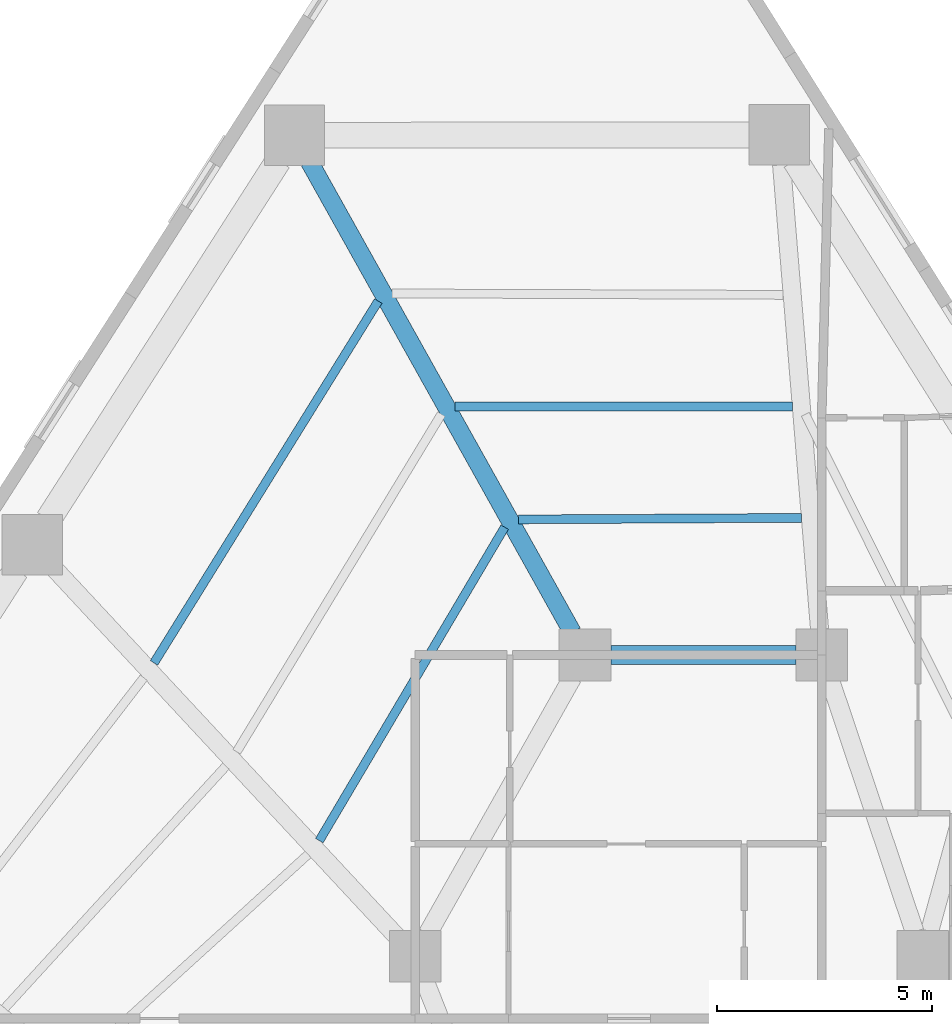
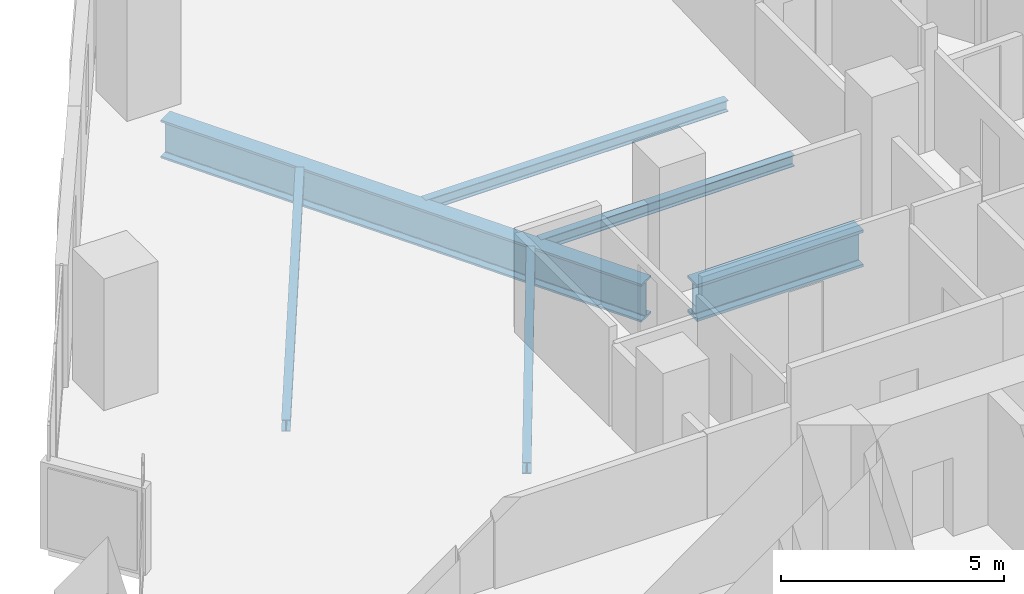
# One storey, part 3 of 13: 6 beams.
"""IFC4 building model written with IfcOpenShell, lengths in metres."""

from ifc_helpers import new_model, si_unit, direction, frame, origin, origin_2d, place, context, subcontext, project, spatial, i_section, extrude, material, material_profile, profile_set, type_object, element, save


model = new_model("IFC4")

# Units and contexts
model_context = context("Model", 3, precision=1e-05, world=origin(), true_north=direction((0.0, 1.0)))
body_context = subcontext(model_context, "Body", "Model", "MODEL_VIEW")
ifc_project = project(units=[si_unit("LENGTHUNIT", "METRE"), si_unit("AREAUNIT", "SQUARE_METRE"), si_unit("VOLUMEUNIT", "CUBIC_METRE"), si_unit("PLANEANGLEUNIT", "RADIAN"), si_unit("MASSUNIT", "GRAM", prefix="KILO")], contexts=[model_context])

# Site, building, storey
site_placement = place(None, origin())
site = spatial("IfcSite", under=ifc_project, at=site_placement, CompositionType="ELEMENT")
building_placement = place(site_placement, origin())
building = spatial("IfcBuilding", under=site, at=building_placement, Name="Almagre Mirador Tower", CompositionType="ELEMENT")
storey_placement = place(building_placement, frame((0.0, 0.0, 57.0)))
storey = spatial("IfcBuildingStorey", under=building, at=storey_placement, Name="L13", CompositionType="ELEMENT", Elevation=57.0)

# Beams
ifc_material_1 = material(Name="Steel ASTM A992 Grade 50", Category="steel")
ifc_material_profile_1 = material_profile(ifc_material_1, i_section(OverallWidth=0.205078125, OverallDepth=0.31005859375, WebThickness=0.009521484375, FlangeThickness=0.016357421875, FilletRadius=0.013916015625, at=origin_2d()), Name="W12X50")
ifc_profile_set_1 = profile_set([ifc_material_profile_1], Name="Steel ASTM A992 Grade 50")
beam_type_1 = type_object("IfcBeamType", Name="BM-JST-W12X50", PredefinedType="JOIST", material=ifc_profile_set_1)
beam_1_placement = place(storey_placement, frame((42.168212890625, 31.979248046875, -0.405029296875), z_axis=(-0.999999987869, -0.000155763238, 0.0), x_axis=(0.000155763238, -0.999999987869, 0.0)))
element("IfcBeam", 1, at=beam_1_placement, inside=storey, type_object=beam_type_1, Name="L13 secondary floor joist PC08-PC09.2", PredefinedType="JOIST", context=body_context, shape_type="SweptSolid", body=[
    extrude(i_section(OverallWidth=0.205078125, OverallDepth=0.31005859375, WebThickness=0.009521484375, FlangeThickness=0.016357421875, FilletRadius=0.013916015625, at=origin_2d()), origin(), (0.0, 0.0, 1.0), 7.8369140625),
])
beam_2_placement = place(storey_placement, frame((42.3798828125, 29.387451171875, -0.405029296875), z_axis=(-0.999985531686, -0.0053792581, 0.0), x_axis=(0.0053792581, -0.999985531686, 0.0)))
element("IfcBeam", 2, at=beam_2_placement, inside=storey, type_object=beam_type_1, Name="L13 secondary floor joist PC08-PC09.3", PredefinedType="JOIST", context=body_context, shape_type="SweptSolid", body=[
    extrude(i_section(OverallWidth=0.205078125, OverallDepth=0.31005859375, WebThickness=0.009521484375, FlangeThickness=0.016357421875, FilletRadius=0.013916015625, at=origin_2d()), origin(), (0.0, 0.0, 1.0), 6.580810546875),
])
beam_3_placement = place(storey_placement, frame((32.54345703125, 34.427001953125, -0.405029296875), z_axis=(-0.526750382105, -0.850020020324, 0.0), x_axis=(0.850020020324, -0.526750382105, 0.0)))
element("IfcBeam", 3, at=beam_3_placement, inside=storey, type_object=beam_type_1, Name="L13 secondary floor joist PC09-PC10.1", PredefinedType="JOIST", context=body_context, shape_type="SweptSolid", body=[
    extrude(i_section(OverallWidth=0.205078125, OverallDepth=0.31005859375, WebThickness=0.009521484375, FlangeThickness=0.016357421875, FilletRadius=0.013916015625, at=origin_2d()), origin(), (0.0, 0.0, 1.0), 9.89501953125),
])
beam_4_placement = place(storey_placement, frame((35.48291015625, 29.17041015625, -0.405029296875), z_axis=(-0.509081080746, -0.860718567957, 0.0), x_axis=(0.860718567957, -0.509081080746, 0.0)))
element("IfcBeam", 4, at=beam_4_placement, inside=storey, type_object=beam_type_1, Name="L13 secondary floor joist PC09-PC10.3", PredefinedType="JOIST", context=body_context, shape_type="SweptSolid", body=[
    extrude(i_section(OverallWidth=0.205078125, OverallDepth=0.31005859375, WebThickness=0.009521484375, FlangeThickness=0.016357421875, FilletRadius=0.013916015625, at=origin_2d()), origin(), (0.0, 0.0, 1.0), 8.46337890625),
])
ifc_material_2 = material(Name="Steel ASTM A992 Grade 50", Category="steel")
ifc_material_profile_2 = material_profile(ifc_material_2, i_section(OverallWidth=0.43701171875, OverallDepth=1.010986328125, WebThickness=0.041015625, FlangeThickness=0.073974609375, FilletRadius=0.028076171875, at=origin_2d()), Name="W36X529")
ifc_profile_set_2 = profile_set([ifc_material_profile_2], Name="Steel ASTM A992 Grade 50")
beam_type_2 = type_object("IfcBeamType", Name="BM-STL-W36X529", PredefinedType="BEAM", material=ifc_profile_set_2)
beam_5_placement = place(storey_placement, frame((37.949951171875, 26.199951171875, -0.755615234375), z_axis=(1.0, 0.0, 0.0), x_axis=(0.0, 1.0, 0.0)))
element("IfcBeam", 5, at=beam_5_placement, inside=storey, type_object=beam_type_2, Name="L13 core tie girder MC7-MC6", PredefinedType="BEAM", context=body_context, shape_type="SweptSolid", body=[
    extrude(i_section(OverallWidth=0.43701171875, OverallDepth=1.010986328125, WebThickness=0.041015625, FlangeThickness=0.073974609375, FilletRadius=0.028076171875, at=origin_2d()), origin(), (0.0, 0.0, 1.0), 4.300048828125),
])
ifc_material_3 = material(Name="Steel ASTM A913 Grade 65", Category="steel")
ifc_material_profile_3 = material_profile(ifc_material_3, i_section(OverallWidth=0.4189453125, OverallDepth=1.041015625, WebThickness=0.031005859375, FlangeThickness=0.055908203125, FilletRadius=0.030029296875, at=origin_2d()), Name="W40X397")
ifc_profile_set_3 = profile_set([ifc_material_profile_3], Name="Steel ASTM A913 Grade 65")
beam_type_3 = type_object("IfcBeamType", Name="BM-STL-W40X397", PredefinedType="BEAM", material=ifc_profile_set_3)
beam_6_placement = place(storey_placement, frame((30.94140625, 37.669921875, -0.7705078125), z_axis=(0.487764189082, -0.87297542683, 0.0), x_axis=(0.87297542683, 0.487764189082, 0.0)))
element("IfcBeam", 6, at=beam_6_placement, inside=storey, type_object=beam_type_3, Name="L13 radial floor girder PC09-MC7", PredefinedType="BEAM", context=body_context, shape_type="SweptSolid", body=[
    extrude(i_section(OverallWidth=0.4189453125, OverallDepth=1.041015625, WebThickness=0.031005859375, FlangeThickness=0.055908203125, FilletRadius=0.030029296875, at=origin_2d()), origin(), (0.0, 0.0, 1.0), 12.538818359375),
])

save(model, "model.ifc")
